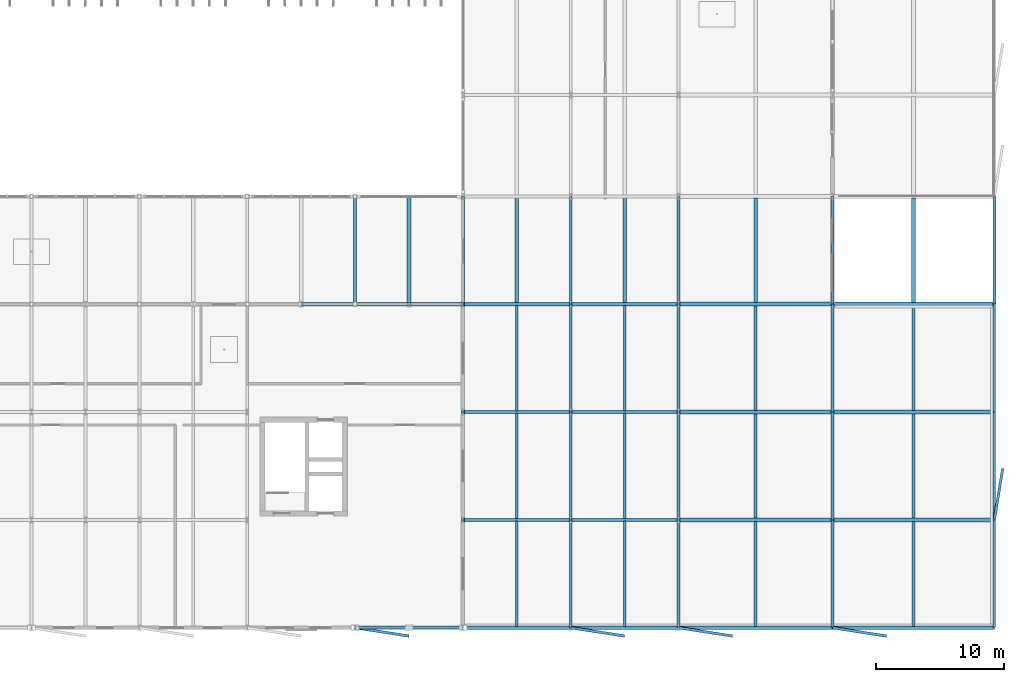
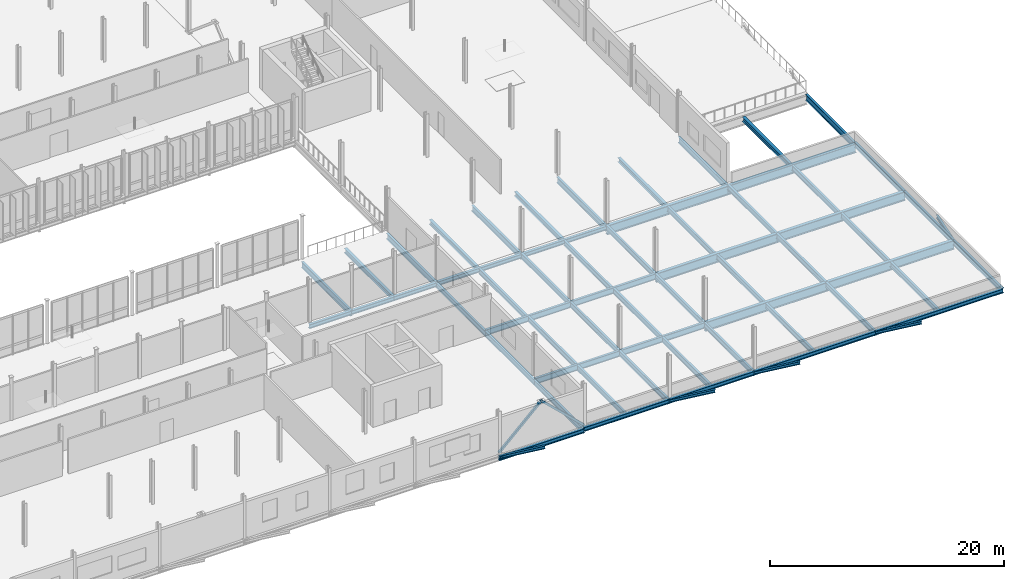
# One storey, part 73 of 139: 63 beams, 2 members.
"""IFC4 building model written with IfcOpenShell, lengths in metres."""

from ifc_helpers import new_model, si_unit, derived_unit, direction, frame, origin, origin_2d, place, context, subcontext, project, spatial, hollow_rectangle, i_section, extrude, material, material_profile, profile_set, type_object, element, save


model = new_model("IFC4")

# Units and contexts
model_context = context("Model", 3, precision=1e-05, world=origin(), true_north=direction((0.0, 1.0)))
body_context = subcontext(model_context, "Body", "Model", "MODEL_VIEW")
ifc_project = project(units=[si_unit("LENGTHUNIT", "METRE"), si_unit("AREAUNIT", "SQUARE_METRE"), si_unit("VOLUMEUNIT", "CUBIC_METRE"), si_unit("PLANEANGLEUNIT", "RADIAN"), si_unit("MASSUNIT", "GRAM", prefix="KILO"), derived_unit("THERMALTRANSMITTANCEUNIT", [(si_unit("MASSUNIT", "GRAM", prefix="KILO"), 1), (si_unit("TIMEUNIT", "SECOND"), -3), (si_unit("THERMODYNAMICTEMPERATUREUNIT", "KELVIN"), -1)])], contexts=[model_context])

# Site, building, storey
site_placement = place(None, origin())
site = spatial("IfcSite", under=ifc_project, at=site_placement, CompositionType="ELEMENT")
building_placement = place(site_placement, origin())
building = spatial("IfcBuilding", under=site, at=building_placement, Name="Makaiwela Harbour Ferry Terminal", CompositionType="ELEMENT")
storey_placement = place(building_placement, frame((0.0, 0.0, 5.10009765625)))
storey = spatial("IfcBuildingStorey", under=building, at=storey_placement, Name="L01", CompositionType="ELEMENT", Elevation=5.10009765625)

# Beams
ifc_material_1 = material(Name="Steel ASTM A992 Grade 50", Category="steel")
ifc_material_profile_1 = material_profile(ifc_material_1, i_section(OverallWidth=0.280029296875, OverallDepth=0.462890625, WebThickness=0.0107421875, FlangeThickness=0.017333984375, at=origin_2d()), Name="W18X76")
ifc_profile_set_1 = profile_set([ifc_material_profile_1], Name="Steel ASTM A992 Grade 50")
beam_type_1 = type_object("IfcBeamType", Name="STR-BM-W18X76", PredefinedType="BEAM", material=ifc_profile_set_1)
for number, where, z_axis, x_axis, name in (
    (1, (134.39990234375, 25.314453125, -0.551513671875), (0.0, 1.0, 0.0), (-1.0, 0.0, 0.0), "Secondary floor beam 1143"),
    (2, (142.800048828125, 25.314453125, -0.51171875), (0.0, 1.0, 0.0), (-1.0, 0.0, 0.0), "Secondary floor beam 1153"),
    (3, (151.199951171875, 25.314453125, -0.51171875), (0.0, 1.0, 0.0), (-1.0, 0.0, 0.0), "Secondary floor beam 1163"),
):
    element("IfcBeam", number, at=place(storey_placement, frame(where, z_axis=z_axis, x_axis=x_axis)), inside=storey, type_object=beam_type_1, Name=name, PredefinedType="BEAM", context=body_context, shape_type="SweptSolid", body=[
        extrude(i_section(OverallWidth=0.280029296875, OverallDepth=0.462890625, WebThickness=0.0107421875, FlangeThickness=0.017333984375, at=origin_2d()), origin(), (0.0, 0.0, 1.0), 8.18896484375),
    ])
for number, where, z_axis, x_axis, name in (
    (4, (161.39990234375, 25.3369140625, -0.51171875), (0.0, 1.0, 0.0), (-1.0, 0.0, 0.0), "Secondary floor beam 1174"),
    (5, (173.699951171875, 25.3369140625, -0.571533203125), (0.0, 1.0, 0.0), (-1.0, 0.0, 0.0), "Secondary floor beam 1185"),
):
    element("IfcBeam", number, at=place(storey_placement, frame(where, z_axis=z_axis, x_axis=x_axis)), inside=storey, type_object=beam_type_1, Name=name, PredefinedType="BEAM", context=body_context, shape_type="SweptSolid", body=[
        extrude(i_section(OverallWidth=0.280029296875, OverallDepth=0.462890625, WebThickness=0.0107421875, FlangeThickness=0.017333984375, at=origin_2d()), origin(), (0.0, 0.0, 1.0), 8.1259765625),
    ])
ifc_material_profile_2 = material_profile(ifc_material_1, i_section(OverallWidth=0.214111328125, OverallDepth=0.549072265625, WebThickness=0.0146484375, FlangeThickness=0.023681640625, at=origin_2d()), Name="W21X93")
ifc_profile_set_2 = profile_set([ifc_material_profile_2], Name="Steel ASTM A992 Grade 50")
beam_type_2 = type_object("IfcBeamType", Name="STR-BM-W21X93", PredefinedType="BEAM", material=ifc_profile_set_2)
beam_1_placement = place(storey_placement, frame((138.60009765625, 0.0, -0.57470703125), z_axis=(0.0, 1.0, 0.0), x_axis=(-1.0, 0.0, 0.0)))
element("IfcBeam", 6, at=beam_1_placement, inside=storey, type_object=beam_type_2, Name="Primary Y girder 1007", PredefinedType="BEAM", context=body_context, shape_type="SweptSolid", body=[
    extrude(i_section(OverallWidth=0.214111328125, OverallDepth=0.549072265625, WebThickness=0.0146484375, FlangeThickness=0.023681640625, at=origin_2d()), origin(), (0.0, 0.0, 1.0), 8.39990234375),
])
beam_2_placement = place(storey_placement, frame((138.60009765625, 8.39990234375, -0.57470703125), z_axis=(0.0, 1.0, 0.0), x_axis=(-1.0, 0.0, 0.0)))
element("IfcBeam", 7, at=beam_2_placement, inside=storey, type_object=beam_type_2, Name="Primary Y girder 1008", PredefinedType="BEAM", context=body_context, shape_type="SweptSolid", body=[
    extrude(i_section(OverallWidth=0.214111328125, OverallDepth=0.549072265625, WebThickness=0.0146484375, FlangeThickness=0.023681640625, at=origin_2d()), origin(), (0.0, 0.0, 1.0), 8.400146484375),
])
for number, where, z_axis, x_axis, name in (
    (8, (138.60009765625, 16.800048828125, -0.57470703125), (0.0, 1.0, 0.0), (-1.0, 0.0, 0.0), "Primary Y girder 1009"),
    (9, (147.0, 0.0, -0.45458984375), (0.0, 1.0, 0.0), (-1.0, 0.0, 0.0), "Primary Y girder 1019"),
):
    element("IfcBeam", number, at=place(storey_placement, frame(where, z_axis=z_axis, x_axis=x_axis)), inside=storey, type_object=beam_type_2, Name=name, PredefinedType="BEAM", context=body_context, shape_type="SweptSolid", body=[
        extrude(i_section(OverallWidth=0.214111328125, OverallDepth=0.549072265625, WebThickness=0.0146484375, FlangeThickness=0.023681640625, at=origin_2d()), origin(), (0.0, 0.0, 1.0), 8.39990234375),
    ])
beam_3_placement = place(storey_placement, frame((147.0, 8.39990234375, -0.45458984375), z_axis=(0.0, 1.0, 0.0), x_axis=(-1.0, 0.0, 0.0)))
element("IfcBeam", 10, at=beam_3_placement, inside=storey, type_object=beam_type_2, Name="Primary Y girder 1020", PredefinedType="BEAM", context=body_context, shape_type="SweptSolid", body=[
    extrude(i_section(OverallWidth=0.214111328125, OverallDepth=0.549072265625, WebThickness=0.0146484375, FlangeThickness=0.023681640625, at=origin_2d()), origin(), (0.0, 0.0, 1.0), 8.400146484375),
])
for number, where, z_axis, x_axis, name in (
    (11, (147.0, 16.800048828125, -0.45458984375), (0.0, 1.0, 0.0), (-1.0, 0.0, 0.0), "Primary Y girder 1021"),
    (12, (155.39990234375, 0.0, -0.45458984375), (0.0, 1.0, 0.0), (-1.0, 0.0, 0.0), "Primary Y girder 1030"),
):
    element("IfcBeam", number, at=place(storey_placement, frame(where, z_axis=z_axis, x_axis=x_axis)), inside=storey, type_object=beam_type_2, Name=name, PredefinedType="BEAM", context=body_context, shape_type="SweptSolid", body=[
        extrude(i_section(OverallWidth=0.214111328125, OverallDepth=0.549072265625, WebThickness=0.0146484375, FlangeThickness=0.023681640625, at=origin_2d()), origin(), (0.0, 0.0, 1.0), 8.39990234375),
    ])
beam_4_placement = place(storey_placement, frame((155.39990234375, 8.39990234375, -0.45458984375), z_axis=(0.0, 1.0, 0.0), x_axis=(-1.0, 0.0, 0.0)))
element("IfcBeam", 13, at=beam_4_placement, inside=storey, type_object=beam_type_2, Name="Primary Y girder 1031", PredefinedType="BEAM", context=body_context, shape_type="SweptSolid", body=[
    extrude(i_section(OverallWidth=0.214111328125, OverallDepth=0.549072265625, WebThickness=0.0146484375, FlangeThickness=0.023681640625, at=origin_2d()), origin(), (0.0, 0.0, 1.0), 8.400146484375),
])
for number, where, z_axis, x_axis, name in (
    (14, (155.39990234375, 16.800048828125, -0.45458984375), (0.0, 1.0, 0.0), (-1.0, 0.0, 0.0), "Primary Y girder 1032"),
    (15, (167.39990234375, 0.0, -0.45458984375), (0.0, 1.0, 0.0), (-1.0, 0.0, 0.0), "Primary Y girder 1041"),
):
    element("IfcBeam", number, at=place(storey_placement, frame(where, z_axis=z_axis, x_axis=x_axis)), inside=storey, type_object=beam_type_2, Name=name, PredefinedType="BEAM", context=body_context, shape_type="SweptSolid", body=[
        extrude(i_section(OverallWidth=0.214111328125, OverallDepth=0.549072265625, WebThickness=0.0146484375, FlangeThickness=0.023681640625, at=origin_2d()), origin(), (0.0, 0.0, 1.0), 8.39990234375),
    ])
beam_5_placement = place(storey_placement, frame((167.39990234375, 8.39990234375, -0.45458984375), z_axis=(0.0, 1.0, 0.0), x_axis=(-1.0, 0.0, 0.0)))
element("IfcBeam", 16, at=beam_5_placement, inside=storey, type_object=beam_type_2, Name="Primary Y girder 1042", PredefinedType="BEAM", context=body_context, shape_type="SweptSolid", body=[
    extrude(i_section(OverallWidth=0.214111328125, OverallDepth=0.549072265625, WebThickness=0.0146484375, FlangeThickness=0.023681640625, at=origin_2d()), origin(), (0.0, 0.0, 1.0), 8.400146484375),
])
for number, where, z_axis, x_axis, name in (
    (17, (167.39990234375, 16.800048828125, -0.45458984375), (0.0, 1.0, 0.0), (-1.0, 0.0, 0.0), "Primary Y girder 1043"),
    (18, (180.0, 0.0, -0.45458984375), (0.0, 1.0, 0.0), (-1.0, 0.0, 0.0), "Primary Y girder 1052"),
):
    element("IfcBeam", number, at=place(storey_placement, frame(where, z_axis=z_axis, x_axis=x_axis)), inside=storey, type_object=beam_type_2, Name=name, PredefinedType="BEAM", context=body_context, shape_type="SweptSolid", body=[
        extrude(i_section(OverallWidth=0.214111328125, OverallDepth=0.549072265625, WebThickness=0.0146484375, FlangeThickness=0.023681640625, at=origin_2d()), origin(), (0.0, 0.0, 1.0), 8.39990234375),
    ])
beam_6_placement = place(storey_placement, frame((180.0, 8.39990234375, -0.45458984375), z_axis=(0.0, 1.0, 0.0), x_axis=(-1.0, 0.0, 0.0)))
element("IfcBeam", 19, at=beam_6_placement, inside=storey, type_object=beam_type_2, Name="Primary Y girder 1053", PredefinedType="BEAM", context=body_context, shape_type="SweptSolid", body=[
    extrude(i_section(OverallWidth=0.214111328125, OverallDepth=0.549072265625, WebThickness=0.0146484375, FlangeThickness=0.023681640625, at=origin_2d()), origin(), (0.0, 0.0, 1.0), 8.400146484375),
])
beam_7_placement = place(storey_placement, frame((180.0, 16.800048828125, -0.45458984375), z_axis=(0.0, 1.0, 0.0), x_axis=(-1.0, 0.0, 0.0)))
element("IfcBeam", 20, at=beam_7_placement, inside=storey, type_object=beam_type_2, Name="Primary Y girder 1054", PredefinedType="BEAM", context=body_context, shape_type="SweptSolid", body=[
    extrude(i_section(OverallWidth=0.214111328125, OverallDepth=0.549072265625, WebThickness=0.0146484375, FlangeThickness=0.023681640625, at=origin_2d()), origin(), (0.0, 0.0, 1.0), 8.39990234375),
])
beam_8_placement = place(storey_placement, frame((142.800048828125, 0.114501953125, -0.45458984375), z_axis=(0.0, 1.0, 0.0), x_axis=(-1.0, 0.0, 0.0)))
element("IfcBeam", 21, at=beam_8_placement, inside=storey, type_object=beam_type_2, Name="Secondary floor beam 1150", PredefinedType="BEAM", context=body_context, shape_type="SweptSolid", body=[
    extrude(i_section(OverallWidth=0.214111328125, OverallDepth=0.549072265625, WebThickness=0.0146484375, FlangeThickness=0.023681640625, at=origin_2d()), origin(), (0.0, 0.0, 1.0), 8.18896484375),
])
beam_9_placement = place(storey_placement, frame((142.800048828125, 8.49658203125, -0.45458984375), z_axis=(0.0, 1.0, 0.0), x_axis=(-1.0, 0.0, 0.0)))
element("IfcBeam", 22, at=beam_9_placement, inside=storey, type_object=beam_type_2, Name="Secondary floor beam 1151", PredefinedType="BEAM", context=body_context, shape_type="SweptSolid", body=[
    extrude(i_section(OverallWidth=0.214111328125, OverallDepth=0.549072265625, WebThickness=0.0146484375, FlangeThickness=0.023681640625, at=origin_2d()), origin(), (0.0, 0.0, 1.0), 8.20703125),
])
for number, where, z_axis, x_axis, name in (
    (23, (142.800048828125, 16.896484375, -0.5546875), (0.0, 1.0, 0.0), (-1.0, 0.0, 0.0), "Secondary floor beam 1152"),
    (24, (151.199951171875, 0.114501953125, -0.45458984375), (0.0, 1.0, 0.0), (-1.0, 0.0, 0.0), "Secondary floor beam 1160"),
):
    element("IfcBeam", number, at=place(storey_placement, frame(where, z_axis=z_axis, x_axis=x_axis)), inside=storey, type_object=beam_type_2, Name=name, PredefinedType="BEAM", context=body_context, shape_type="SweptSolid", body=[
        extrude(i_section(OverallWidth=0.214111328125, OverallDepth=0.549072265625, WebThickness=0.0146484375, FlangeThickness=0.023681640625, at=origin_2d()), origin(), (0.0, 0.0, 1.0), 8.18896484375),
    ])
beam_10_placement = place(storey_placement, frame((151.199951171875, 8.49658203125, -0.45458984375), z_axis=(0.0, 1.0, 0.0), x_axis=(-1.0, 0.0, 0.0)))
element("IfcBeam", 25, at=beam_10_placement, inside=storey, type_object=beam_type_2, Name="Secondary floor beam 1161", PredefinedType="BEAM", context=body_context, shape_type="SweptSolid", body=[
    extrude(i_section(OverallWidth=0.214111328125, OverallDepth=0.549072265625, WebThickness=0.0146484375, FlangeThickness=0.023681640625, at=origin_2d()), origin(), (0.0, 0.0, 1.0), 8.20703125),
])
beam_11_placement = place(storey_placement, frame((151.199951171875, 16.896484375, -0.5546875), z_axis=(0.0, 1.0, 0.0), x_axis=(-1.0, 0.0, 0.0)))
element("IfcBeam", 26, at=beam_11_placement, inside=storey, type_object=beam_type_2, Name="Secondary floor beam 1162", PredefinedType="BEAM", context=body_context, shape_type="SweptSolid", body=[
    extrude(i_section(OverallWidth=0.214111328125, OverallDepth=0.549072265625, WebThickness=0.0146484375, FlangeThickness=0.023681640625, at=origin_2d()), origin(), (0.0, 0.0, 1.0), 8.18896484375),
])
beam_12_placement = place(storey_placement, frame((161.39990234375, 0.114501953125, -0.45458984375), z_axis=(0.0, 1.0, 0.0), x_axis=(-1.0, 0.0, 0.0)))
element("IfcBeam", 27, at=beam_12_placement, inside=storey, type_object=beam_type_2, Name="Secondary floor beam 1171", PredefinedType="BEAM", context=body_context, shape_type="SweptSolid", body=[
    extrude(i_section(OverallWidth=0.214111328125, OverallDepth=0.549072265625, WebThickness=0.0146484375, FlangeThickness=0.023681640625, at=origin_2d()), origin(), (0.0, 0.0, 1.0), 8.1484375),
])
for number, where, z_axis, x_axis, name in (
    (28, (161.39990234375, 8.537109375, -0.45458984375), (0.0, 1.0, 0.0), (-1.0, 0.0, 0.0), "Secondary floor beam 1172"),
    (29, (161.39990234375, 16.93701171875, -0.5546875), (0.0, 1.0, 0.0), (-1.0, 0.0, 0.0), "Secondary floor beam 1173"),
):
    element("IfcBeam", number, at=place(storey_placement, frame(where, z_axis=z_axis, x_axis=x_axis)), inside=storey, type_object=beam_type_2, Name=name, PredefinedType="BEAM", context=body_context, shape_type="SweptSolid", body=[
        extrude(i_section(OverallWidth=0.214111328125, OverallDepth=0.549072265625, WebThickness=0.0146484375, FlangeThickness=0.023681640625, at=origin_2d()), origin(), (0.0, 0.0, 1.0), 8.1259765625),
    ])
beam_13_placement = place(storey_placement, frame((173.699951171875, 0.114501953125, -0.45458984375), z_axis=(0.0, 1.0, 0.0), x_axis=(-1.0, 0.0, 0.0)))
element("IfcBeam", 30, at=beam_13_placement, inside=storey, type_object=beam_type_2, Name="Secondary floor beam 1182", PredefinedType="BEAM", context=body_context, shape_type="SweptSolid", body=[
    extrude(i_section(OverallWidth=0.214111328125, OverallDepth=0.549072265625, WebThickness=0.0146484375, FlangeThickness=0.023681640625, at=origin_2d()), origin(), (0.0, 0.0, 1.0), 8.1484375),
])
for number, where, z_axis, x_axis, name in (
    (31, (173.699951171875, 8.537109375, -0.45458984375), (0.0, 1.0, 0.0), (-1.0, 0.0, 0.0), "Secondary floor beam 1183"),
    (32, (173.699951171875, 16.93701171875, -0.5546875), (0.0, 1.0, 0.0), (-1.0, 0.0, 0.0), "Secondary floor beam 1184"),
):
    element("IfcBeam", number, at=place(storey_placement, frame(where, z_axis=z_axis, x_axis=x_axis)), inside=storey, type_object=beam_type_2, Name=name, PredefinedType="BEAM", context=body_context, shape_type="SweptSolid", body=[
        extrude(i_section(OverallWidth=0.214111328125, OverallDepth=0.549072265625, WebThickness=0.0146484375, FlangeThickness=0.023681640625, at=origin_2d()), origin(), (0.0, 0.0, 1.0), 8.1259765625),
    ])

# Members
ifc_material_2 = material(Name="Steel ASTM A500 Grade C", Category="steel")
ifc_material_profile_3 = material_profile(ifc_material_2, hollow_rectangle(XDim=0.202880859375, YDim=0.202880859375, WallThickness=0.01171875, at=origin_2d()), Name="HSS8X8X1/2")
ifc_profile_set_3 = profile_set([ifc_material_profile_3], Name="Steel ASTM A500 Grade C")
member_type = type_object("IfcMemberType", Name="STR-BRC-HSS8", PredefinedType="BRACE", material=ifc_profile_set_3)
member_1_placement = place(storey_placement, frame((130.199951171875, 0.0, 0.0498046875), z_axis=(0.724596537153, 0.0, 0.689173315172), x_axis=(0.0, 1.0, 0.0)))
element("IfcMember", 33, at=member_1_placement, inside=storey, type_object=member_type, Name="Lateral chevron brace 5A", PredefinedType="BRACE", context=body_context, shape_type="SweptSolid", body=[
    extrude(hollow_rectangle(XDim=0.202880859375, YDim=0.202880859375, WallThickness=0.01171875, at=origin_2d()), origin(), (0.0, 0.0, 1.0), 5.796142578125),
])
member_2_placement = place(storey_placement, frame((138.60009765625, 0.0, 0.0498046875), z_axis=(-0.724616541717, 0.0, 0.689152281771), x_axis=(0.0, -1.0, 0.0)))
element("IfcMember", 34, at=member_2_placement, inside=storey, type_object=member_type, Name="Lateral chevron brace 5B", PredefinedType="BRACE", context=body_context, shape_type="SweptSolid", body=[
    extrude(hollow_rectangle(XDim=0.202880859375, YDim=0.202880859375, WallThickness=0.01171875, at=origin_2d()), origin(), (0.0, 0.0, 1.0), 5.79638671875),
])

# Beams
ifc_material_profile_4 = material_profile(ifc_material_1, i_section(OverallWidth=0.22900390625, OverallDepth=0.612060546875, WebThickness=0.011962890625, FlangeThickness=0.01953125, at=origin_2d()), Name="W24X84")
ifc_profile_set_4 = profile_set([ifc_material_profile_4], Name="Steel ASTM A992 Grade 50")
beam_type_3 = type_object("IfcBeamType", Name="STR-GRD-W24X84", PredefinedType="USERDEFINED", material=ifc_profile_set_4)
for number, where, z_axis, x_axis, name in (
    (35, (138.60009765625, 8.39990234375, -0.486083984375), (1.0, 0.0, 0.0), (0.0, 1.0, 0.0), "Primary X girder 736"),
    (36, (147.0, 8.39990234375, -0.486083984375), (1.0, 0.0, 0.0), (0.0, 1.0, 0.0), "Primary X girder 737"),
    (37, (138.60009765625, 16.800048828125, -0.486083984375), (1.0, 0.0, 0.0), (0.0, 1.0, 0.0), "Primary X girder 750"),
    (38, (147.0, 16.800048828125, -0.486083984375), (1.0, 0.0, 0.0), (0.0, 1.0, 0.0), "Primary X girder 751"),
):
    element("IfcBeam", number, at=place(storey_placement, frame(where, z_axis=z_axis, x_axis=x_axis)), inside=storey, type_object=beam_type_3, Name=name, ObjectType="GIRDER", PredefinedType="USERDEFINED", context=body_context, shape_type="SweptSolid", body=[
        extrude(i_section(OverallWidth=0.22900390625, OverallDepth=0.612060546875, WebThickness=0.011962890625, FlangeThickness=0.01953125, at=origin_2d()), origin(), (0.0, 0.0, 1.0), 8.39990234375),
    ])
for number, where, z_axis, x_axis, name in (
    (39, (130.199951171875, 25.199951171875, -0.6259765625), (0.0, 1.0, 0.0), (-1.0, 0.0, 0.0), "Primary Y girder 1000"),
    (40, (138.60009765625, 25.199951171875, -0.586181640625), (0.0, 1.0, 0.0), (-1.0, 0.0, 0.0), "Primary Y girder 1010"),
    (41, (147.0, 25.199951171875, -0.586181640625), (0.0, 1.0, 0.0), (-1.0, 0.0, 0.0), "Primary Y girder 1022"),
    (42, (155.39990234375, 25.199951171875, -0.586181640625), (0.0, 1.0, 0.0), (-1.0, 0.0, 0.0), "Primary Y girder 1033"),
    (43, (167.39990234375, 25.199951171875, -0.586181640625), (0.0, 1.0, 0.0), (-1.0, 0.0, 0.0), "Primary Y girder 1044"),
    (44, (180.0, 25.199951171875, -0.586181640625), (0.0, 1.0, 0.0), (-1.0, 0.0, 0.0), "Primary Y girder 1055"),
):
    element("IfcBeam", number, at=place(storey_placement, frame(where, z_axis=z_axis, x_axis=x_axis)), inside=storey, type_object=beam_type_3, Name=name, ObjectType="GIRDER", PredefinedType="USERDEFINED", context=body_context, shape_type="SweptSolid", body=[
        extrude(i_section(OverallWidth=0.22900390625, OverallDepth=0.612060546875, WebThickness=0.011962890625, FlangeThickness=0.01953125, at=origin_2d()), origin(), (0.0, 0.0, 1.0), 8.400146484375),
    ])
ifc_material_profile_5 = material_profile(ifc_material_1, i_section(OverallWidth=0.31005859375, OverallDepth=0.949951171875, WebThickness=0.0244140625, FlangeThickness=0.0439453125, at=origin_2d()), Name="W36X256")
ifc_profile_set_5 = profile_set([ifc_material_profile_5], Name="Steel ASTM A992 Grade 50")
beam_type_4 = type_object("IfcBeamType", Name="STR-GRD-W36X256", PredefinedType="USERDEFINED", material=ifc_profile_set_5)
beam_14_placement = place(storey_placement, frame((155.39990234375, 8.39990234375, -0.655029296875), z_axis=(1.0, 0.0, 0.0), x_axis=(0.0, 1.0, 0.0)))
element("IfcBeam", 45, at=beam_14_placement, inside=storey, type_object=beam_type_4, Name="Primary X girder 738", ObjectType="GIRDER", PredefinedType="USERDEFINED", context=body_context, shape_type="SweptSolid", body=[
    extrude(i_section(OverallWidth=0.31005859375, OverallDepth=0.949951171875, WebThickness=0.0244140625, FlangeThickness=0.0439453125, at=origin_2d()), origin(), (0.0, 0.0, 1.0), 12.0),
])
beam_15_placement = place(storey_placement, frame((167.39990234375, 8.39990234375, -0.655029296875), z_axis=(1.0, 0.0, 0.0), x_axis=(0.0, 1.0, 0.0)))
element("IfcBeam", 46, at=beam_15_placement, inside=storey, type_object=beam_type_4, Name="Primary X girder 739", ObjectType="GIRDER", PredefinedType="USERDEFINED", context=body_context, shape_type="SweptSolid", body=[
    extrude(i_section(OverallWidth=0.31005859375, OverallDepth=0.949951171875, WebThickness=0.0244140625, FlangeThickness=0.0439453125, at=origin_2d()), origin(), (0.0, 0.0, 1.0), 12.60009765625),
])
beam_16_placement = place(storey_placement, frame((155.39990234375, 16.800048828125, -0.655029296875), z_axis=(1.0, 0.0, 0.0), x_axis=(0.0, 1.0, 0.0)))
element("IfcBeam", 47, at=beam_16_placement, inside=storey, type_object=beam_type_4, Name="Primary X girder 752", ObjectType="GIRDER", PredefinedType="USERDEFINED", context=body_context, shape_type="SweptSolid", body=[
    extrude(i_section(OverallWidth=0.31005859375, OverallDepth=0.949951171875, WebThickness=0.0244140625, FlangeThickness=0.0439453125, at=origin_2d()), origin(), (0.0, 0.0, 1.0), 12.0),
])
beam_17_placement = place(storey_placement, frame((167.39990234375, 16.800048828125, -0.655029296875), z_axis=(1.0, 0.0, 0.0), x_axis=(0.0, 1.0, 0.0)))
element("IfcBeam", 48, at=beam_17_placement, inside=storey, type_object=beam_type_4, Name="Primary X girder 753", ObjectType="GIRDER", PredefinedType="USERDEFINED", context=body_context, shape_type="SweptSolid", body=[
    extrude(i_section(OverallWidth=0.31005859375, OverallDepth=0.949951171875, WebThickness=0.0244140625, FlangeThickness=0.0439453125, at=origin_2d()), origin(), (0.0, 0.0, 1.0), 12.60009765625),
])
beam_18_placement = place(storey_placement, frame((155.39990234375, 25.199951171875, -0.755126953125), z_axis=(1.0, 0.0, 0.0), x_axis=(0.0, 1.0, 0.0)))
element("IfcBeam", 49, at=beam_18_placement, inside=storey, type_object=beam_type_4, Name="Primary X girder 777", ObjectType="GIRDER", PredefinedType="USERDEFINED", context=body_context, shape_type="SweptSolid", body=[
    extrude(i_section(OverallWidth=0.31005859375, OverallDepth=0.949951171875, WebThickness=0.0244140625, FlangeThickness=0.0439453125, at=origin_2d()), origin(), (0.0, 0.0, 1.0), 12.0),
])
beam_19_placement = place(storey_placement, frame((167.39990234375, 25.199951171875, -0.755126953125), z_axis=(1.0, 0.0, 0.0), x_axis=(0.0, 1.0, 0.0)))
element("IfcBeam", 50, at=beam_19_placement, inside=storey, type_object=beam_type_4, Name="Primary X girder 778", ObjectType="GIRDER", PredefinedType="USERDEFINED", context=body_context, shape_type="SweptSolid", body=[
    extrude(i_section(OverallWidth=0.31005859375, OverallDepth=0.949951171875, WebThickness=0.0244140625, FlangeThickness=0.0439453125, at=origin_2d()), origin(), (0.0, 0.0, 1.0), 12.60009765625),
])
ifc_material_profile_6 = material_profile(ifc_material_1, i_section(OverallWidth=0.205078125, OverallDepth=0.31005859375, WebThickness=0.009521484375, FlangeThickness=0.016357421875, at=origin_2d()), Name="W12X50")
ifc_profile_set_6 = profile_set([ifc_material_profile_6], Name="Steel ASTM A992 Grade 50")
beam_type_5 = type_object("IfcBeamType", Name="STR-LNT-W12X50", PredefinedType="LINTEL", material=ifc_profile_set_6)
for number, where, z_axis, x_axis, name in (
    (51, (134.39990234375, -0.64990234375, -0.400146484375), (-0.988238498139, 0.15292047213, 0.0), (-0.15292047213, -0.988238498139, 0.0), "Structural Beam LN-01"),
    (52, (151.199951171875, -0.64990234375, -0.400146484375), (-0.988238498139, 0.15292047213, 0.0), (-0.15292047213, -0.988238498139, 0.0), "Structural Beam LN-01"),
):
    element("IfcBeam", number, at=place(storey_placement, frame(where, z_axis=z_axis, x_axis=x_axis)), inside=storey, type_object=beam_type_5, Name=name, PredefinedType="LINTEL", context=body_context, shape_type="SweptSolid", body=[
        extrude(i_section(OverallWidth=0.205078125, OverallDepth=0.31005859375, WebThickness=0.009521484375, FlangeThickness=0.016357421875, at=origin_2d()), origin(), (0.0, 0.0, 1.0), 4.25),
    ])
for number, where, z_axis, x_axis, name in (
    (53, (159.60009765625, -0.64990234375, -0.400146484375), (-0.988239841373, 0.152911791312, 0.0), (-0.152911791312, -0.988239841373, 0.0), "Structural Beam LN-01"),
    (54, (171.60009765625, -0.64990234375, -0.400146484375), (-0.988239841373, 0.152911791312, 0.0), (-0.152911791312, -0.988239841373, 0.0), "Structural Beam LN-01"),
):
    element("IfcBeam", number, at=place(storey_placement, frame(where, z_axis=z_axis, x_axis=x_axis)), inside=storey, type_object=beam_type_5, Name=name, PredefinedType="LINTEL", context=body_context, shape_type="SweptSolid", body=[
        extrude(i_section(OverallWidth=0.205078125, OverallDepth=0.31005859375, WebThickness=0.009521484375, FlangeThickness=0.016357421875, at=origin_2d()), origin(), (0.0, 0.0, 1.0), 4.250244140625),
    ])
beam_20_placement = place(storey_placement, frame((180.64990234375, 12.39990234375, -0.400146484375), z_axis=(-0.160372591239, -0.987056549535, 0.0), x_axis=(0.987056549535, -0.160372591239, 0.0)))
element("IfcBeam", 55, at=beam_20_placement, inside=storey, type_object=beam_type_5, Name="Structural Beam LN-01", PredefinedType="LINTEL", context=body_context, shape_type="SweptSolid", body=[
    extrude(i_section(OverallWidth=0.205078125, OverallDepth=0.31005859375, WebThickness=0.009521484375, FlangeThickness=0.016357421875, at=origin_2d()), origin(), (0.0, 0.0, 1.0), 4.052490234375),
])
ifc_material_profile_7 = material_profile(ifc_material_1, i_section(OverallWidth=0.264892578125, OverallDepth=0.430908203125, WebThickness=0.014892578125, FlangeThickness=0.02490234375, at=origin_2d()), Name="W16X100")
ifc_profile_set_7 = profile_set([ifc_material_profile_7], Name="Steel ASTM A992 Grade 50")
beam_type_6 = type_object("IfcBeamType", Name="STR-SPN-W16X100", PredefinedType="SPANDREL", material=ifc_profile_set_7)
beam_21_placement = place(storey_placement, frame((130.199951171875, 0.0, -0.515625), z_axis=(1.0, 0.0, 0.0), x_axis=(0.0, 1.0, 0.0)))
element("IfcBeam", 56, at=beam_21_placement, inside=storey, type_object=beam_type_6, Name="Primary X girder 721", PredefinedType="SPANDREL", context=body_context, shape_type="SweptSolid", body=[
    extrude(i_section(OverallWidth=0.264892578125, OverallDepth=0.430908203125, WebThickness=0.014892578125, FlangeThickness=0.02490234375, at=origin_2d()), origin(), (0.0, 0.0, 1.0), 8.400146484375),
])
for number, where, z_axis, x_axis, name in (
    (57, (138.60009765625, 0.0, -0.3955078125), (1.0, 0.0, 0.0), (0.0, 1.0, 0.0), "Primary X girder 722"),
    (58, (147.0, 0.0, -0.3955078125), (1.0, 0.0, 0.0), (0.0, 1.0, 0.0), "Primary X girder 723"),
):
    element("IfcBeam", number, at=place(storey_placement, frame(where, z_axis=z_axis, x_axis=x_axis)), inside=storey, type_object=beam_type_6, Name=name, PredefinedType="SPANDREL", context=body_context, shape_type="SweptSolid", body=[
        extrude(i_section(OverallWidth=0.264892578125, OverallDepth=0.430908203125, WebThickness=0.014892578125, FlangeThickness=0.02490234375, at=origin_2d()), origin(), (0.0, 0.0, 1.0), 8.39990234375),
    ])
beam_22_placement = place(storey_placement, frame((155.39990234375, 0.0, -0.3955078125), z_axis=(1.0, 0.0, 0.0), x_axis=(0.0, 1.0, 0.0)))
element("IfcBeam", 59, at=beam_22_placement, inside=storey, type_object=beam_type_6, Name="Primary X girder 724", PredefinedType="SPANDREL", context=body_context, shape_type="SweptSolid", body=[
    extrude(i_section(OverallWidth=0.264892578125, OverallDepth=0.430908203125, WebThickness=0.014892578125, FlangeThickness=0.02490234375, at=origin_2d()), origin(), (0.0, 0.0, 1.0), 12.0),
])
beam_23_placement = place(storey_placement, frame((167.39990234375, 0.0, -0.3955078125), z_axis=(1.0, 0.0, 0.0), x_axis=(0.0, 1.0, 0.0)))
element("IfcBeam", 60, at=beam_23_placement, inside=storey, type_object=beam_type_6, Name="Primary X girder 725", PredefinedType="SPANDREL", context=body_context, shape_type="SweptSolid", body=[
    extrude(i_section(OverallWidth=0.264892578125, OverallDepth=0.430908203125, WebThickness=0.014892578125, FlangeThickness=0.02490234375, at=origin_2d()), origin(), (0.0, 0.0, 1.0), 12.60009765625),
])
for number, where, z_axis, x_axis, name in (
    (61, (126.0, 25.199951171875, -0.53564453125), (1.0, 0.0, 0.0), (0.0, 1.0, 0.0), "Primary X girder 772"),
    (62, (130.199951171875, 25.199951171875, -0.53564453125), (1.0, 0.0, 0.0), (0.0, 1.0, 0.0), "Primary X girder 773"),
):
    element("IfcBeam", number, at=place(storey_placement, frame(where, z_axis=z_axis, x_axis=x_axis)), inside=storey, type_object=beam_type_6, Name=name, PredefinedType="SPANDREL", context=body_context, shape_type="SweptSolid", body=[
        extrude(i_section(OverallWidth=0.264892578125, OverallDepth=0.430908203125, WebThickness=0.014892578125, FlangeThickness=0.02490234375, at=origin_2d()), origin(), (0.0, 0.0, 1.0), 4.199951171875),
    ])
beam_24_placement = place(storey_placement, frame((134.39990234375, 25.199951171875, -0.53564453125), z_axis=(1.0, 0.0, 0.0), x_axis=(0.0, 1.0, 0.0)))
element("IfcBeam", 63, at=beam_24_placement, inside=storey, type_object=beam_type_6, Name="Primary X girder 774", PredefinedType="SPANDREL", context=body_context, shape_type="SweptSolid", body=[
    extrude(i_section(OverallWidth=0.264892578125, OverallDepth=0.430908203125, WebThickness=0.014892578125, FlangeThickness=0.02490234375, at=origin_2d()), origin(), (0.0, 0.0, 1.0), 4.2001953125),
])
for number, where, z_axis, x_axis, name in (
    (64, (138.60009765625, 25.199951171875, -0.49560546875), (1.0, 0.0, 0.0), (0.0, 1.0, 0.0), "Primary X girder 775"),
    (65, (147.0, 25.199951171875, -0.49560546875), (1.0, 0.0, 0.0), (0.0, 1.0, 0.0), "Primary X girder 776"),
):
    element("IfcBeam", number, at=place(storey_placement, frame(where, z_axis=z_axis, x_axis=x_axis)), inside=storey, type_object=beam_type_6, Name=name, PredefinedType="SPANDREL", context=body_context, shape_type="SweptSolid", body=[
        extrude(i_section(OverallWidth=0.264892578125, OverallDepth=0.430908203125, WebThickness=0.014892578125, FlangeThickness=0.02490234375, at=origin_2d()), origin(), (0.0, 0.0, 1.0), 8.39990234375),
    ])

save(model, "model.ifc")
